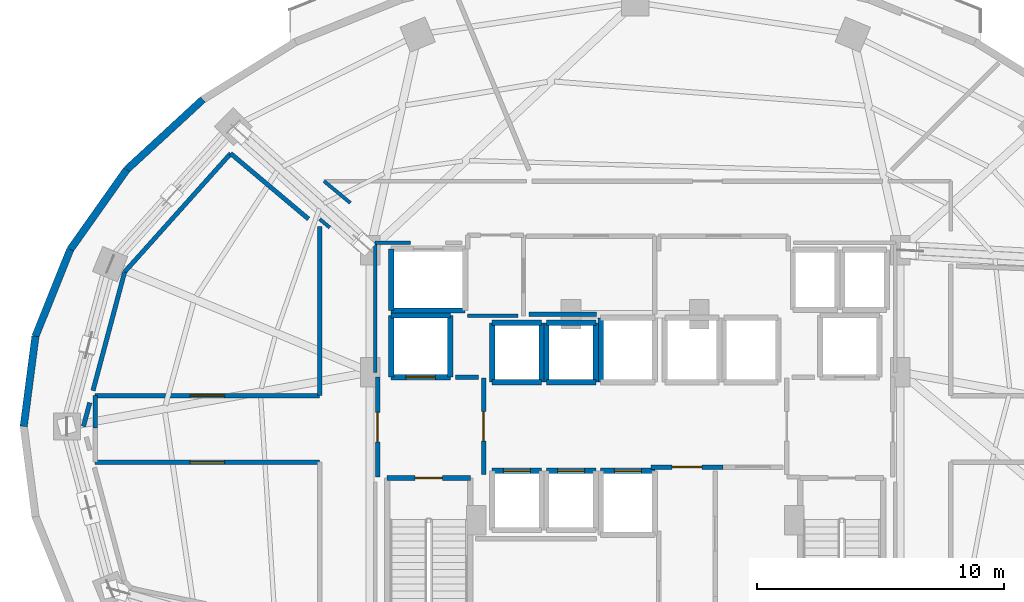
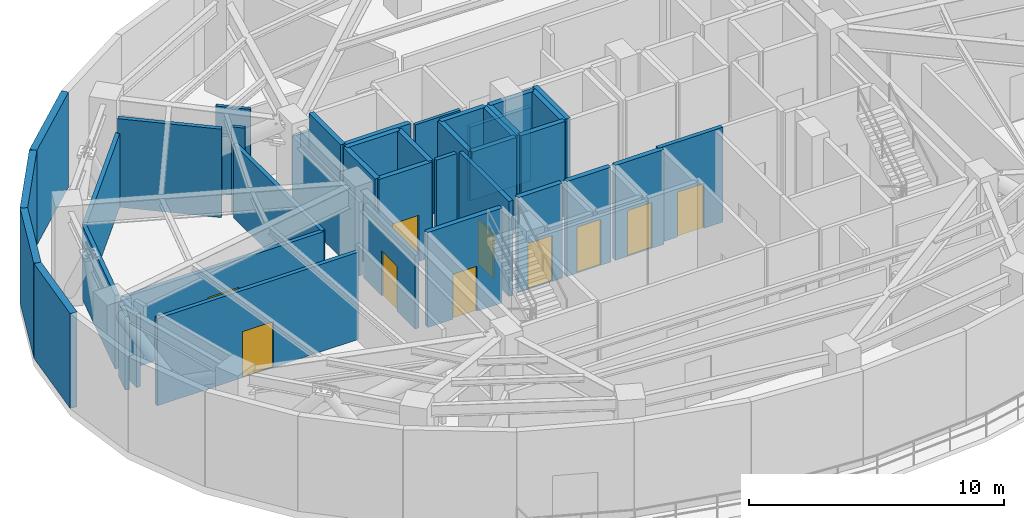
# One storey, part 7 of 11: 41 walls, 10 doors, 10 openings.
"""IFC4 building model written with IfcOpenShell, lengths in metres."""

from ifc_helpers import new_model, si_unit, direction, frame, frame_2d, origin, place, context, subcontext, project, spatial, rectangle, extrude, material, layer, layer_set, type_object, element, fill, save


model = new_model("IFC4")

# Units and contexts
model_context = context("Model", 3, precision=1e-05, world=origin(), true_north=direction((0.0, 1.0)))
body_context = subcontext(model_context, "Body", "Model", "MODEL_VIEW")
ifc_project = project(units=[si_unit("LENGTHUNIT", "METRE"), si_unit("AREAUNIT", "SQUARE_METRE"), si_unit("VOLUMEUNIT", "CUBIC_METRE"), si_unit("PLANEANGLEUNIT", "RADIAN"), si_unit("MASSUNIT", "GRAM", prefix="KILO")], contexts=[model_context])

# Site, building, storey
site_placement = place(None, origin())
site = spatial("IfcSite", under=ifc_project, at=site_placement, CompositionType="ELEMENT")
building_placement = place(site_placement, origin())
building = spatial("IfcBuilding", under=site, at=building_placement, Name="Vorneva Point Tower", CompositionType="ELEMENT")
storey_placement = place(building_placement, frame((0.0, 0.0, 124.300048828125)))
storey = spatial("IfcBuildingStorey", under=building, at=storey_placement, Name="L33", CompositionType="ELEMENT", Elevation=124.300048828125)

# Wall, opening, door
ifc_material_1 = material(Name="Concrete B60 (C50/60)", Category="concrete")
ifc_layer_1 = layer(ifc_material_1, 0.5)
ifc_layer_set_1 = layer_set([ifc_layer_1], Name="Concrete B60 (C50/60)")
wall_type_1 = type_object("IfcWallType", Name="WL-CORE-500", PredefinedType="SHEAR", material=ifc_layer_set_1)
wall_1_placement = place(storey_placement, frame((28.10009765625, 28.0, 0.0), z_axis=(0.0, 0.0, 1.0), x_axis=(1.0, 0.0, 0.0)))
wall_1 = element("IfcWall", 1, at=wall_1_placement, inside=storey, type_object=wall_type_1, Name="L33 Lift FFL1 Shaft Wall -Y", PredefinedType="SHEAR", context=body_context, shape_type="SweptSolid", body=[
    extrude(rectangle(XDim=2.39990234375, YDim=0.219970703125, at=frame_2d((1.199951171875, 0.0))), origin(), (0.0, 0.0, 1.0), 4.5400390625),
])
opening_1_placement = place(wall_1_placement, frame((0.60009765625, 0.0, 0.0)))
opening_1 = element("IfcOpeningElement", 2, at=opening_1_placement, cuts=wall_1, Name="Opening LD-02", PredefinedType="OPENING", context=body_context, shape_type="SweptSolid", body=[
    extrude(rectangle(XDim=1.199951171875, YDim=2.199951171875, at=frame_2d((0.60009765625, 1.10009765625))), frame((0.0, 0.125, 0.0), z_axis=(0.0, -1.0, 0.0), x_axis=(1.0, 0.0, 0.0)), (0.0, 0.0, 1.0), 0.249755859375),
])
ifc_material_2 = material(Name="Brushed stainless steel S304", Category="steel")
door_type_1 = type_object("IfcDoorType", Name="LD-FIRE-1200", OperationType="SLIDING_TO_LEFT", PredefinedType="DOOR", material=ifc_material_2)
door_1_placement = place(opening_1_placement, origin())
door_1 = element("IfcDoor", 3, at=door_1_placement, inside=storey, type_object=door_type_1, Name="L33 Lift FFL1 Sliding Landing Door", OperationType="SLIDING_TO_LEFT", OverallHeight=2.199951171875, OverallWidth=1.199951171875, PredefinedType="DOOR", context=body_context, shape_type="SweptSolid", body=[
    extrude(rectangle(XDim=1.199951171875, YDim=2.199951171875, at=frame_2d((0.60009765625, 1.10009765625))), frame((0.0, 0.02490234375, 0.0), z_axis=(0.0, -1.0, 0.0), x_axis=(1.0, 0.0, 0.0)), (0.0, 0.0, 1.0), 0.050048828125),
])
fill(opening_1, door_1)

# Walls
wall_2_placement = place(storey_placement, frame((30.5, 28.0, 0.0), z_axis=(0.0, 0.0, 1.0), x_axis=(0.0, 1.0, 0.0)))
element("IfcWall", 4, at=wall_2_placement, inside=storey, type_object=wall_type_1, Name="L33 Lift FFL1 Shaft Wall +X", PredefinedType="SHEAR", context=body_context, shape_type="SweptSolid", body=[
    extrude(rectangle(XDim=2.5, YDim=0.219970703125, at=frame_2d((1.25, 0.0))), origin(), (0.0, 0.0, 1.0), 4.5400390625),
])
wall_3_placement = place(storey_placement, frame((30.5, 30.5, 0.0), z_axis=(0.0, 0.0, 1.0), x_axis=(-1.0, 0.0, 0.0)))
element("IfcWall", 5, at=wall_3_placement, inside=storey, type_object=wall_type_1, Name="L33 Lift FFL1 Shaft Wall +Y", PredefinedType="SHEAR", context=body_context, shape_type="SweptSolid", body=[
    extrude(rectangle(XDim=2.39990234375, YDim=0.219970703125, at=frame_2d((1.199951171875, 0.0))), origin(), (0.0, 0.0, 1.0), 4.5400390625),
])
wall_4_placement = place(storey_placement, frame((28.10009765625, 30.5, 0.0), z_axis=(0.0, 0.0, 1.0), x_axis=(0.0, -1.0, 0.0)))
element("IfcWall", 6, at=wall_4_placement, inside=storey, type_object=wall_type_1, Name="L33 Lift FFL1 Shaft Wall -X", PredefinedType="SHEAR", context=body_context, shape_type="SweptSolid", body=[
    extrude(rectangle(XDim=2.5, YDim=0.219970703125, at=frame_2d((1.25, 0.0))), origin(), (0.0, 0.0, 1.0), 4.5400390625),
])
ifc_material_3 = material(Name="Precast concrete B50 (C40/50)", Category="concrete")
ifc_layer_2 = layer(ifc_material_3, 0.300048828125)
ifc_layer_set_2 = layer_set([ifc_layer_2], Name="Precast concrete B50 (C40/50)")
wall_type_2 = type_object("IfcWallType", Name="WL-EXT-300", PredefinedType="STANDARD", material=ifc_layer_set_2)
wall_5_placement = place(storey_placement, frame((20.4638671875, 39.25830078125, 0.0), z_axis=(0.0, 0.0, 1.0), x_axis=(-0.735477154165, -0.677549522693, 0.0)))
element("IfcWall", 7, at=wall_5_placement, inside=storey, type_object=wall_type_2, Name="L33 Pale-Metal Facade Spandrel Wall 07.1", PredefinedType="STANDARD", context=body_context, shape_type="SweptSolid", body=[
    extrude(rectangle(XDim=4.193603515625, YDim=0.300048828125, at=frame_2d((2.0966796875, 0.0))), origin(), (0.0, 0.0, 1.0), 4.5400390625),
])
wall_6_placement = place(storey_placement, frame((17.379638671875, 36.4169921875, 0.0), z_axis=(0.0, 0.0, 1.0), x_axis=(-0.577269753207, -0.816553508371, 0.0)))
element("IfcWall", 8, at=wall_6_placement, inside=storey, type_object=wall_type_2, Name="L33 Pale-Metal Facade Spandrel Wall 07.2", PredefinedType="STANDARD", context=body_context, shape_type="SweptSolid", body=[
    extrude(rectangle(XDim=3.969970703125, YDim=0.300048828125, at=frame_2d((1.98486328125, 0.0))), origin(), (0.0, 0.0, 1.0), 4.5400390625),
])
wall_7_placement = place(storey_placement, frame((15.087890625, 33.17529296875, 0.0), z_axis=(0.0, 0.0, 1.0), x_axis=(-0.372401154411, -0.928071861546, 0.0)))
element("IfcWall", 9, at=wall_7_placement, inside=storey, type_object=wall_type_2, Name="L33 Pale-Metal Facade Spandrel Wall 08.1", PredefinedType="STANDARD", context=body_context, shape_type="SweptSolid", body=[
    extrude(rectangle(XDim=3.7900390625, YDim=0.300048828125, at=frame_2d((1.89501953125, 0.0))), origin(), (0.0, 0.0, 1.0), 4.5400390625),
])
wall_8_placement = place(storey_placement, frame((13.676513671875, 29.657958984375, 0.0), z_axis=(0.0, 0.0, 1.0), x_axis=(-0.129189225186, -0.991619959509, 0.0)))
element("IfcWall", 10, at=wall_8_placement, inside=storey, type_object=wall_type_2, Name="L33 Pale-Metal Facade Spandrel Wall 08.2", PredefinedType="STANDARD", context=body_context, shape_type="SweptSolid", body=[
    extrude(rectangle(XDim=3.68896484375, YDim=0.300048828125, at=frame_2d((1.844482421875, 0.0))), origin(), (0.0, 0.0, 1.0), 4.5400390625),
])
ifc_material_4 = material(Name="Fire-rated acoustic gypsum stud partition", Category="gypsum")
ifc_layer_3 = layer(ifc_material_4, 0.139892578125)
ifc_layer_set_3 = layer_set([ifc_layer_3], Name="Fire-rated acoustic gypsum stud partition")
wall_type_3 = type_object("IfcWallType", Name="WL-PART-140", PredefinedType="PARTITIONING", material=ifc_layer_set_3)
wall_9_placement = place(storey_placement, frame((31.199951171875, 30.47998046875, 0.0), z_axis=(0.0, 0.0, 1.0), x_axis=(1.0, 0.0, 0.0)))
element("IfcWall", 11, at=wall_9_placement, inside=storey, type_object=wall_type_3, Name="L33 Interior Closure Partition 039", PredefinedType="PARTITIONING", context=body_context, shape_type="SweptSolid", body=[
    extrude(rectangle(XDim=2.050048828125, YDim=0.139892578125, at=frame_2d((1.02490234375, 0.0))), origin(), (0.0, 0.0, 1.0), 4.5400390625),
])
wall_10_placement = place(storey_placement, frame((25.37890625, 35.949951171875, 0.0), z_axis=(0.0, 0.0, 1.0), x_axis=(0.769447461533, -0.638710109471, 0.0)))
element("IfcWall", 12, at=wall_10_placement, inside=storey, type_object=wall_type_3, Name="L33 Interior Closure Partition 045", PredefinedType="PARTITIONING", context=body_context, shape_type="SweptSolid", body=[
    extrude(rectangle(XDim=1.3857421875, YDim=0.139892578125, at=frame_2d((0.69287109375, 0.0))), origin(), (0.0, 0.0, 1.0), 4.174072265625),
])
wall_11_placement = place(storey_placement, frame((25.614013671875, 34.06494140625, 0.0), z_axis=(0.0, 0.0, 1.0), x_axis=(-0.769186943462, 0.639023822723, 0.0)))
element("IfcWall", 13, at=wall_11_placement, inside=storey, type_object=wall_type_3, Name="L33 Interior Closure Partition 046", PredefinedType="PARTITIONING", context=body_context, shape_type="SweptSolid", body=[
    extrude(rectangle(XDim=0.538330078125, YDim=0.139892578125, at=frame_2d((0.26904296875, 0.0))), origin(), (0.0, 0.0, 1.0), 4.174072265625),
])
wall_12_placement = place(storey_placement, frame((28.89404296875, 33.449951171875, 0.0), z_axis=(0.0, 0.0, 1.0), x_axis=(-1.0, 0.0, 0.0)))
element("IfcWall", 14, at=wall_12_placement, inside=storey, type_object=wall_type_3, Name="L33 Interior Closure Partition 053", PredefinedType="PARTITIONING", context=body_context, shape_type="SweptSolid", body=[
    extrude(rectangle(XDim=1.444091796875, YDim=0.139892578125, at=frame_2d((0.72216796875, 0.0))), origin(), (0.0, 0.0, 1.0), 3.52197265625),
])
wall_13_placement = place(storey_placement, frame((27.449951171875, 33.449951171875, 0.0), z_axis=(0.0, 0.0, 1.0), x_axis=(0.0, -1.0, 0.0)))
element("IfcWall", 15, at=wall_13_placement, inside=storey, type_object=wall_type_3, Name="L33 Interior Closure Partition 054", PredefinedType="PARTITIONING", context=body_context, shape_type="SweptSolid", body=[
    extrude(rectangle(XDim=5.25390625, YDim=0.139892578125, at=frame_2d((2.626953125, 0.0))), origin(), (0.0, 0.0, 1.0), 3.52197265625),
])

# Wall, opening, door
ifc_material_5 = material(Name="Autoclaved aerated concrete blockwork", Category="masonry")
ifc_layer_4 = layer(ifc_material_5, 0.179931640625)
ifc_layer_set_4 = layer_set([ifc_layer_4], Name="Autoclaved aerated concrete blockwork")
wall_type_4 = type_object("IfcWallType", Name="WL-PART-180", PredefinedType="PARTITIONING", material=ifc_layer_set_4)
wall_14_placement = place(storey_placement, frame((31.85009765625, 24.044921875, 0.0), z_axis=(0.0, 0.0, 1.0), x_axis=(0.0, 1.0, 0.0)))
wall_14 = element("IfcWall", 16, at=wall_14_placement, inside=storey, type_object=wall_type_4, Name="L33 Interior Partition 001", PredefinedType="PARTITIONING", context=body_context, shape_type="SweptSolid", body=[
    extrude(rectangle(XDim=3.91015625, YDim=0.179931640625, at=frame_2d((1.955078125, 0.0))), origin(), (0.0, 0.0, 1.0), 4.5400390625),
])
opening_2_placement = place(wall_14_placement, frame((1.35498046875, 0.0, 0.0)))
opening_2 = element("IfcOpeningElement", 17, at=opening_2_placement, cuts=wall_14, Name="Opening FD-02", PredefinedType="OPENING", context=body_context, shape_type="SweptSolid", body=[
    extrude(rectangle(XDim=1.199951171875, YDim=2.14990234375, at=frame_2d((0.60009765625, 1.074951171875))), frame((0.0, 0.10498046875, 0.0), z_axis=(0.0, -1.0, 0.0), x_axis=(1.0, 0.0, 0.0)), (0.0, 0.0, 1.0), 0.209716796875),
])
ifc_material_6 = material(Name="Fire-rated powder-coated steel", Category="steel")
door_type_2 = type_object("IfcDoorType", Name="DR-FFL-1200", OperationType="NOTDEFINED", PredefinedType="DOOR", material=ifc_material_6)
door_2_placement = place(opening_2_placement, origin())
door_2 = element("IfcDoor", 18, at=door_2_placement, inside=storey, type_object=door_type_2, Name="L33 Door West Firefighting Lobby / Central Lift Lobby", OperationType="SINGLE_SWING_LEFT", OverallHeight=2.14990234375, OverallWidth=1.199951171875, PredefinedType="DOOR", context=body_context, shape_type="SweptSolid", body=[
    extrude(rectangle(XDim=1.199951171875, YDim=2.14990234375, at=frame_2d((0.60009765625, 1.074951171875))), frame((0.0, 0.02490234375, 0.0), z_axis=(0.0, -1.0, 0.0), x_axis=(1.0, 0.0, 0.0)), (0.0, 0.0, 1.0), 0.050048828125),
])
fill(opening_2, door_2)

wall_15_placement = place(storey_placement, frame((27.550048828125, 28.0, 0.0), z_axis=(0.0, 0.0, 1.0), x_axis=(0.0, -1.0, 0.0)))
wall_15 = element("IfcWall", 19, at=wall_15_placement, inside=storey, type_object=wall_type_4, Name="L33 Interior Partition 002", PredefinedType="PARTITIONING", context=body_context, shape_type="SweptSolid", body=[
    extrude(rectangle(XDim=4.050048828125, YDim=0.179931640625, at=frame_2d((2.02490234375, 0.0))), origin(), (0.0, 0.0, 1.0), 3.52197265625),
])
opening_3_placement = place(wall_15_placement, frame((1.425048828125, 0.0, 0.0)))
opening_3 = element("IfcOpeningElement", 20, at=opening_3_placement, cuts=wall_15, Name="Opening FD-02", PredefinedType="OPENING", context=body_context, shape_type="SweptSolid", body=[
    extrude(rectangle(XDim=1.199951171875, YDim=2.14990234375, at=frame_2d((0.60009765625, 1.074951171875))), frame((0.0, 0.10498046875, 0.0), z_axis=(0.0, -1.0, 0.0), x_axis=(1.0, 0.0, 0.0)), (0.0, 0.0, 1.0), 0.209716796875),
])
door_3_placement = place(opening_3_placement, origin())
door_3 = element("IfcDoor", 21, at=door_3_placement, inside=storey, type_object=door_type_2, Name="L33 Door West Firefighting Lobby / L33 Refuge and Lift Lobby", OperationType="SINGLE_SWING_RIGHT", OverallHeight=2.14990234375, OverallWidth=1.199951171875, PredefinedType="DOOR", context=body_context, shape_type="SweptSolid", body=[
    extrude(rectangle(XDim=1.199951171875, YDim=2.14990234375, at=frame_2d((0.60009765625, 1.074951171875))), frame((0.0, 0.02490234375, 0.0), z_axis=(0.0, -1.0, 0.0), x_axis=(1.0, 0.0, 0.0)), (0.0, 0.0, 1.0), 0.050048828125),
])
fill(opening_3, door_3)

wall_16_placement = place(storey_placement, frame((38.64501953125, 24.35009765625, 0.0), z_axis=(0.0, 0.0, 1.0), x_axis=(1.0, 0.0, 0.0)))
wall_16 = element("IfcWall", 22, at=wall_16_placement, inside=storey, type_object=wall_type_4, Name="L33 Interior Partition 009", PredefinedType="PARTITIONING", context=body_context, shape_type="SweptSolid", body=[
    extrude(rectangle(XDim=2.909912109375, YDim=0.179931640625, at=frame_2d((1.455078125, 0.0))), origin(), (0.0, 0.0, 1.0), 4.5400390625),
])
opening_4_placement = place(wall_16_placement, frame((0.85498046875, 0.0, 0.0)))
opening_4 = element("IfcOpeningElement", 23, at=opening_4_placement, cuts=wall_16, Name="Opening FD-02", PredefinedType="OPENING", context=body_context, shape_type="SweptSolid", body=[
    extrude(rectangle(XDim=1.199951171875, YDim=2.14990234375, at=frame_2d((0.60009765625, 1.074951171875))), frame((0.0, 0.10498046875, 0.0), z_axis=(0.0, -1.0, 0.0), x_axis=(1.0, 0.0, 0.0)), (0.0, 0.0, 1.0), 0.209716796875),
])
door_4_placement = place(opening_4_placement, origin())
door_4 = element("IfcDoor", 24, at=door_4_placement, inside=storey, type_object=door_type_2, Name="L33 Door Central Lift Lobby / Core Service Lobby", OperationType="SINGLE_SWING_RIGHT", OverallHeight=2.14990234375, OverallWidth=1.199951171875, PredefinedType="DOOR", context=body_context, shape_type="SweptSolid", body=[
    extrude(rectangle(XDim=1.199951171875, YDim=2.14990234375, at=frame_2d((0.60009765625, 1.074951171875))), frame((0.0, 0.02490234375, 0.0), z_axis=(0.0, -1.0, 0.0), x_axis=(1.0, 0.0, 0.0)), (0.0, 0.0, 1.0), 0.050048828125),
])
fill(opening_4, door_4)

# Wall
wall_17_placement = place(storey_placement, frame((25.199951171875, 34.111083984375, 0.0), z_axis=(0.0, 0.0, 1.0), x_axis=(0.0, -1.0, 0.0)))
element("IfcWall", 25, at=wall_17_placement, inside=storey, type_object=wall_type_4, Name="L33 Interior Partition 024", PredefinedType="PARTITIONING", context=body_context, shape_type="SweptSolid", body=[
    extrude(rectangle(XDim=6.861083984375, YDim=0.179931640625, at=frame_2d((3.4306640625, 0.0))), origin(), (0.0, 0.0, 1.0), 3.52197265625),
])

# Wall, opening, door
wall_18_placement = place(storey_placement, frame((25.199951171875, 27.25, 0.0), z_axis=(0.0, 0.0, 1.0), x_axis=(-1.0, 0.0, 0.0)))
wall_18 = element("IfcWall", 26, at=wall_18_placement, inside=storey, type_object=wall_type_4, Name="L33 Interior Partition 025", PredefinedType="PARTITIONING", context=body_context, shape_type="SweptSolid", body=[
    extrude(rectangle(XDim=9.099853515625, YDim=0.179931640625, at=frame_2d((4.5498046875, 0.0))), origin(), (0.0, 0.0, 1.0), 3.52197265625),
])
opening_5_placement = place(wall_18_placement, frame((3.85009765625, 0.0, 0.0)))
opening_5 = element("IfcOpeningElement", 27, at=opening_5_placement, cuts=wall_18, Name="Opening FD-03", PredefinedType="OPENING", context=body_context, shape_type="SweptSolid", body=[
    extrude(rectangle(XDim=1.39990234375, YDim=2.199951171875, at=frame_2d((0.699951171875, 1.10009765625))), frame((0.0, 0.10498046875, 0.0), z_axis=(0.0, -1.0, 0.0), x_axis=(1.0, 0.0, 0.0)), (0.0, 0.0, 1.0), 0.209716796875),
])
door_type_3 = type_object("IfcDoorType", Name="DR-PLT-1400", OperationType="DOUBLE_SWING_LEFT", PredefinedType="DOOR", material=ifc_material_6)
door_5_placement = place(opening_5_placement, origin())
door_5 = element("IfcDoor", 28, at=door_5_placement, inside=storey, type_object=door_type_3, Name="L33 Door L33 Refuge and Lift Lobby / Chiller Plant Room L33", OperationType="DOUBLE_SWING_LEFT", OverallHeight=2.199951171875, OverallWidth=1.39990234375, PredefinedType="DOOR", context=body_context, shape_type="SweptSolid", body=[
    extrude(rectangle(XDim=1.39990234375, YDim=2.199951171875, at=frame_2d((0.699951171875, 1.10009765625))), frame((0.0, 0.02490234375, 0.0), z_axis=(0.0, -1.0, 0.0), x_axis=(1.0, 0.0, 0.0)), (0.0, 0.0, 1.0), 0.050048828125),
])
fill(opening_5, door_5)

# Wall
wall_19_placement = place(storey_placement, frame((16.10009765625, 27.25, 0.0), z_axis=(0.0, 0.0, 1.0), x_axis=(0.0, -1.0, 0.0)))
element("IfcWall", 29, at=wall_19_placement, inside=storey, type_object=wall_type_4, Name="L33 Interior Partition 026", PredefinedType="PARTITIONING", context=body_context, shape_type="SweptSolid", body=[
    extrude(rectangle(XDim=1.31005859375, YDim=0.179931640625, at=frame_2d((0.655029296875, 0.0))), origin(), (0.0, 0.0, 1.0), 3.52197265625),
])

# Wall, opening, door
wall_20_placement = place(storey_placement, frame((16.10009765625, 24.550048828125, 0.0), z_axis=(0.0, 0.0, 1.0), x_axis=(1.0, 0.0, 0.0)))
wall_20 = element("IfcWall", 30, at=wall_20_placement, inside=storey, type_object=wall_type_4, Name="L33 Interior Partition 028", PredefinedType="PARTITIONING", context=body_context, shape_type="SweptSolid", body=[
    extrude(rectangle(XDim=9.099853515625, YDim=0.179931640625, at=frame_2d((4.5498046875, 0.0))), origin(), (0.0, 0.0, 1.0), 4.174072265625),
])
opening_6_placement = place(wall_20_placement, frame((3.85009765625, 0.0, 0.0)))
opening_6 = element("IfcOpeningElement", 31, at=opening_6_placement, cuts=wall_20, Name="Opening FD-03", PredefinedType="OPENING", context=body_context, shape_type="SweptSolid", body=[
    extrude(rectangle(XDim=1.39990234375, YDim=2.199951171875, at=frame_2d((0.699951171875, 1.10009765625))), frame((0.0, 0.10498046875, 0.0), z_axis=(0.0, -1.0, 0.0), x_axis=(1.0, 0.0, 0.0)), (0.0, 0.0, 1.0), 0.209716796875),
])
door_6_placement = place(opening_6_placement, origin())
door_6 = element("IfcDoor", 32, at=door_6_placement, inside=storey, type_object=door_type_3, Name="L33 Door L33 Refuge and Lift Lobby / Domestic Pump and Water Tank Room L33", OperationType="DOUBLE_SWING_LEFT", OverallHeight=2.199951171875, OverallWidth=1.39990234375, PredefinedType="DOOR", context=body_context, shape_type="SweptSolid", body=[
    extrude(rectangle(XDim=1.39990234375, YDim=2.199951171875, at=frame_2d((0.699951171875, 1.10009765625))), frame((0.0, 0.02490234375, 0.0), z_axis=(0.0, -1.0, 0.0), x_axis=(1.0, 0.0, 0.0)), (0.0, 0.0, 1.0), 0.050048828125),
])
fill(opening_6, door_6)

# Walls
wall_21_placement = place(storey_placement, frame((31.635009765625, 28.0, 0.0), z_axis=(0.0, 0.0, 1.0), x_axis=(-1.0, 0.0, 0.0)))
element("IfcWall", 33, at=wall_21_placement, inside=storey, type_object=wall_type_4, Name="L33 Interior Closure Partition 037", PredefinedType="PARTITIONING", context=body_context, shape_type="SweptSolid", body=[
    extrude(rectangle(XDim=0.9150390625, YDim=0.179931640625, at=frame_2d((0.45751953125, 0.0))), origin(), (0.0, 0.0, 1.0), 4.5400390625),
])
wall_22_placement = place(storey_placement, frame((33.694091796875, 30.550048828125, 0.0), z_axis=(0.0, 0.0, 1.0), x_axis=(1.0, 0.0, 0.0)))
element("IfcWall", 34, at=wall_22_placement, inside=storey, type_object=wall_type_4, Name="L33 Interior Closure Partition 040", PredefinedType="PARTITIONING", context=body_context, shape_type="SweptSolid", body=[
    extrude(rectangle(XDim=2.744873046875, YDim=0.179931640625, at=frame_2d((1.37255859375, 0.0))), origin(), (0.0, 0.0, 1.0), 3.52197265625),
])
wall_23_placement = place(storey_placement, frame((21.593994140625, 37.068115234375, 0.0), z_axis=(0.0, 0.0, 1.0), x_axis=(-0.667012857152, -0.745046205543, 0.0)))
element("IfcWall", 35, at=wall_23_placement, inside=storey, type_object=wall_type_4, Name="L33 Interior Closure Partition 065", PredefinedType="PARTITIONING", context=body_context, shape_type="SweptSolid", body=[
    extrude(rectangle(XDim=6.4482421875, YDim=0.179931640625, at=frame_2d((3.22412109375, 0.0))), origin(), (0.0, 0.0, 1.0), 3.52197265625),
])
wall_24_placement = place(storey_placement, frame((17.29296875, 32.263916015625, 0.0), z_axis=(0.0, 0.0, 1.0), x_axis=(-0.257519293952, -0.96627315664, 0.0)))
element("IfcWall", 36, at=wall_24_placement, inside=storey, type_object=wall_type_4, Name="L33 Interior Closure Partition 066", PredefinedType="PARTITIONING", context=body_context, shape_type="SweptSolid", body=[
    extrude(rectangle(XDim=4.98193359375, YDim=0.179931640625, at=frame_2d((2.490966796875, 0.0))), origin(), (0.0, 0.0, 1.0), 3.52197265625),
])
wall_25_placement = place(storey_placement, frame((15.8798828125, 26.964111328125, 0.0), z_axis=(0.0, 0.0, 1.0), x_axis=(-0.257418962866, -0.966299890074, 0.0)))
element("IfcWall", 37, at=wall_25_placement, inside=storey, type_object=wall_type_4, Name="L33 Interior Closure Partition 067", PredefinedType="PARTITIONING", context=body_context, shape_type="SweptSolid", body=[
    extrude(rectangle(XDim=0.997802734375, YDim=0.179931640625, at=frame_2d((0.4990234375, 0.0))), origin(), (0.0, 0.0, 1.0), 3.52197265625),
])
wall_26_placement = place(storey_placement, frame((24.75, 34.412109375, 0.0), z_axis=(0.0, 0.0, 1.0), x_axis=(-0.765112224477, 0.643896951349, 0.0)))
element("IfcWall", 38, at=wall_26_placement, inside=storey, type_object=wall_type_4, Name="L33 Interior Closure Partition 068", PredefinedType="PARTITIONING", context=body_context, shape_type="SweptSolid", body=[
    extrude(rectangle(XDim=4.125, YDim=0.179931640625, at=frame_2d((2.0625, 0.0))), origin(), (0.0, 0.0, 1.0), 4.22900390625),
])

# Wall, opening, door
ifc_material_7 = material(Name="Concrete B50 (C40/50)", Category="concrete")
ifc_layer_5 = layer(ifc_material_7, 0.219970703125)
ifc_layer_set_5 = layer_set([ifc_layer_5], Name="Concrete B50 (C40/50)")
wall_type_5 = type_object("IfcWallType", Name="WL-SHFT-220", PredefinedType="SOLIDWALL", material=ifc_layer_set_5)
wall_27_placement = place(storey_placement, frame((27.93994140625, 23.909912109375, 0.0), z_axis=(0.0, 0.0, 1.0), x_axis=(1.0, 0.0, 0.0)))
wall_27 = element("IfcWall", 39, at=wall_27_placement, inside=storey, type_object=wall_type_5, Name="L33 Exit Stair ST1 Shaft Wall near", PredefinedType="SOLIDWALL", context=body_context, shape_type="SweptSolid", body=[
    extrude(rectangle(XDim=3.3701171875, YDim=0.219970703125, at=frame_2d((1.68505859375, 0.0))), origin(), (0.0, 0.0, 1.0), 4.5400390625),
])
opening_7_placement = place(wall_27_placement, frame((1.135009765625, 0.0, 0.0)))
opening_7 = element("IfcOpeningElement", 40, at=opening_7_placement, cuts=wall_27, Name="Opening FD-01", PredefinedType="OPENING", context=body_context, shape_type="SweptSolid", body=[
    extrude(rectangle(XDim=1.10009765625, YDim=2.14990234375, at=frame_2d((0.550048828125, 1.074951171875))), frame((0.0, 0.125, 0.0), z_axis=(0.0, -1.0, 0.0), x_axis=(1.0, 0.0, 0.0)), (0.0, 0.0, 1.0), 0.249755859375),
])
door_type_4 = type_object("IfcDoorType", Name="DR-STAIR-1100", OperationType="NOTDEFINED", PredefinedType="DOOR", material=ifc_material_6)
door_7_placement = place(opening_7_placement, origin())
door_7 = element("IfcDoor", 41, at=door_7_placement, inside=storey, type_object=door_type_4, Name="L33 Exit Stair ST1 Fire Door", OperationType="SINGLE_SWING_LEFT", OverallHeight=2.14990234375, OverallWidth=1.10009765625, PredefinedType="DOOR", context=body_context, shape_type="SweptSolid", body=[
    extrude(rectangle(XDim=1.10009765625, YDim=2.14990234375, at=frame_2d((0.550048828125, 1.074951171875))), frame((0.0, 0.02490234375, 0.0), z_axis=(0.0, -1.0, 0.0), x_axis=(1.0, 0.0, 0.0)), (0.0, 0.0, 1.0), 0.050048828125),
])
fill(opening_7, door_7)

# Walls
wall_28_placement = place(storey_placement, frame((32.199951171875, 27.800048828125, 0.0), z_axis=(0.0, 0.0, 1.0), x_axis=(1.0, 0.0, 0.0)))
element("IfcWall", 42, at=wall_28_placement, inside=storey, type_object=wall_type_5, Name="L33 Lift PL1 Shaft Wall -Y", PredefinedType="SOLIDWALL", context=body_context, shape_type="SweptSolid", body=[
    extrude(rectangle(XDim=2.0, YDim=0.219970703125, at=frame_2d((1.0, 0.0))), origin(), (0.0, 0.0, 1.0), 4.5400390625),
])
wall_29_placement = place(storey_placement, frame((34.199951171875, 27.800048828125, 0.0), z_axis=(0.0, 0.0, 1.0), x_axis=(0.0, 1.0, 0.0)))
element("IfcWall", 43, at=wall_29_placement, inside=storey, type_object=wall_type_5, Name="L33 Lift PL1 Shaft Wall +X", PredefinedType="SOLIDWALL", context=body_context, shape_type="SweptSolid", body=[
    extrude(rectangle(XDim=2.39990234375, YDim=0.219970703125, at=frame_2d((1.199951171875, 0.0))), origin(), (0.0, 0.0, 1.0), 4.5400390625),
])
wall_30_placement = place(storey_placement, frame((34.199951171875, 30.199951171875, 0.0), z_axis=(0.0, 0.0, 1.0), x_axis=(-1.0, 0.0, 0.0)))
element("IfcWall", 44, at=wall_30_placement, inside=storey, type_object=wall_type_5, Name="L33 Lift PL1 Shaft Wall +Y", PredefinedType="SOLIDWALL", context=body_context, shape_type="SweptSolid", body=[
    extrude(rectangle(XDim=2.0, YDim=0.219970703125, at=frame_2d((1.0, 0.0))), origin(), (0.0, 0.0, 1.0), 4.5400390625),
])
wall_31_placement = place(storey_placement, frame((32.199951171875, 30.199951171875, 0.0), z_axis=(0.0, 0.0, 1.0), x_axis=(0.0, -1.0, 0.0)))
element("IfcWall", 45, at=wall_31_placement, inside=storey, type_object=wall_type_5, Name="L33 Lift PL1 Shaft Wall -X", PredefinedType="SOLIDWALL", context=body_context, shape_type="SweptSolid", body=[
    extrude(rectangle(XDim=2.39990234375, YDim=0.219970703125, at=frame_2d((1.199951171875, 0.0))), origin(), (0.0, 0.0, 1.0), 4.5400390625),
])
wall_32_placement = place(storey_placement, frame((34.39990234375, 27.800048828125, 0.0), z_axis=(0.0, 0.0, 1.0), x_axis=(1.0, 0.0, 0.0)))
element("IfcWall", 46, at=wall_32_placement, inside=storey, type_object=wall_type_5, Name="L33 Lift PL2 Shaft Wall -Y", PredefinedType="SOLIDWALL", context=body_context, shape_type="SweptSolid", body=[
    extrude(rectangle(XDim=2.0, YDim=0.219970703125, at=frame_2d((1.0, 0.0))), origin(), (0.0, 0.0, 1.0), 4.5400390625),
])
wall_33_placement = place(storey_placement, frame((36.39990234375, 27.800048828125, 0.0), z_axis=(0.0, 0.0, 1.0), x_axis=(0.0, 1.0, 0.0)))
element("IfcWall", 47, at=wall_33_placement, inside=storey, type_object=wall_type_5, Name="L33 Lift PL2 Shaft Wall +X", PredefinedType="SOLIDWALL", context=body_context, shape_type="SweptSolid", body=[
    extrude(rectangle(XDim=2.39990234375, YDim=0.219970703125, at=frame_2d((1.199951171875, 0.0))), origin(), (0.0, 0.0, 1.0), 4.5400390625),
])
wall_34_placement = place(storey_placement, frame((36.39990234375, 30.199951171875, 0.0), z_axis=(0.0, 0.0, 1.0), x_axis=(-1.0, 0.0, 0.0)))
element("IfcWall", 48, at=wall_34_placement, inside=storey, type_object=wall_type_5, Name="L33 Lift PL2 Shaft Wall +Y", PredefinedType="SOLIDWALL", context=body_context, shape_type="SweptSolid", body=[
    extrude(rectangle(XDim=2.0, YDim=0.219970703125, at=frame_2d((1.0, 0.0))), origin(), (0.0, 0.0, 1.0), 4.5400390625),
])
wall_35_placement = place(storey_placement, frame((34.39990234375, 30.199951171875, 0.0), z_axis=(0.0, 0.0, 1.0), x_axis=(0.0, -1.0, 0.0)))
element("IfcWall", 49, at=wall_35_placement, inside=storey, type_object=wall_type_5, Name="L33 Lift PL2 Shaft Wall -X", PredefinedType="SOLIDWALL", context=body_context, shape_type="SweptSolid", body=[
    extrude(rectangle(XDim=2.39990234375, YDim=0.219970703125, at=frame_2d((1.199951171875, 0.0))), origin(), (0.0, 0.0, 1.0), 4.5400390625),
])
wall_36_placement = place(storey_placement, frame((36.60009765625, 30.39990234375, 0.0), z_axis=(0.0, 0.0, 1.0), x_axis=(0.0, -1.0, 0.0)))
element("IfcWall", 50, at=wall_36_placement, inside=storey, type_object=wall_type_5, Name="L33 Lift PL3 Shaft Wall -X", PredefinedType="SOLIDWALL", context=body_context, shape_type="SweptSolid", body=[
    extrude(rectangle(XDim=2.599853515625, YDim=0.219970703125, at=frame_2d((1.2998046875, 0.0))), origin(), (0.0, 0.0, 1.0), 4.5400390625),
])

# Wall, opening, door
wall_37_placement = place(storey_placement, frame((34.199951171875, 24.199951171875, 0.0), z_axis=(0.0, 0.0, 1.0), x_axis=(-1.0, 0.0, 0.0)))
wall_37 = element("IfcWall", 51, at=wall_37_placement, inside=storey, type_object=wall_type_5, Name="L33 Lift PL4 Shaft Wall +Y", PredefinedType="SOLIDWALL", context=body_context, shape_type="SweptSolid", body=[
    extrude(rectangle(XDim=2.0, YDim=0.219970703125, at=frame_2d((1.0, 0.0))), origin(), (0.0, 0.0, 1.0), 4.5400390625),
])
opening_8_placement = place(wall_37_placement, frame((0.449951171875, 0.0, 0.0)))
opening_8 = element("IfcOpeningElement", 52, at=opening_8_placement, cuts=wall_37, Name="Opening LD-01", PredefinedType="OPENING", context=body_context, shape_type="SweptSolid", body=[
    extrude(rectangle(XDim=1.10009765625, YDim=2.199951171875, at=frame_2d((0.550048828125, 1.10009765625))), frame((0.0, 0.125, 0.0), z_axis=(0.0, -1.0, 0.0), x_axis=(1.0, 0.0, 0.0)), (0.0, 0.0, 1.0), 0.249755859375),
])
door_type_5 = type_object("IfcDoorType", Name="LD-PASS-1100", OperationType="SLIDING_TO_LEFT", PredefinedType="DOOR", material=ifc_material_2)
door_8_placement = place(opening_8_placement, origin())
door_8 = element("IfcDoor", 53, at=door_8_placement, inside=storey, type_object=door_type_5, Name="L33 Lift PL4 Sliding Landing Door", OperationType="SLIDING_TO_LEFT", OverallHeight=2.199951171875, OverallWidth=1.10009765625, PredefinedType="DOOR", context=body_context, shape_type="SweptSolid", body=[
    extrude(rectangle(XDim=1.10009765625, YDim=2.199951171875, at=frame_2d((0.550048828125, 1.10009765625))), frame((0.0, 0.02490234375, 0.0), z_axis=(0.0, -1.0, 0.0), x_axis=(1.0, 0.0, 0.0)), (0.0, 0.0, 1.0), 0.050048828125),
])
fill(opening_8, door_8)

wall_38_placement = place(storey_placement, frame((36.39990234375, 24.199951171875, 0.0), z_axis=(0.0, 0.0, 1.0), x_axis=(-1.0, 0.0, 0.0)))
wall_38 = element("IfcWall", 54, at=wall_38_placement, inside=storey, type_object=wall_type_5, Name="L33 Lift PL5 Shaft Wall +Y", PredefinedType="SOLIDWALL", context=body_context, shape_type="SweptSolid", body=[
    extrude(rectangle(XDim=2.0, YDim=0.219970703125, at=frame_2d((1.0, 0.0))), origin(), (0.0, 0.0, 1.0), 4.5400390625),
])
opening_9_placement = place(wall_38_placement, frame((0.449951171875, 0.0, 0.0)))
opening_9 = element("IfcOpeningElement", 55, at=opening_9_placement, cuts=wall_38, Name="Opening LD-01", PredefinedType="OPENING", context=body_context, shape_type="SweptSolid", body=[
    extrude(rectangle(XDim=1.10009765625, YDim=2.199951171875, at=frame_2d((0.550048828125, 1.10009765625))), frame((0.0, 0.125, 0.0), z_axis=(0.0, -1.0, 0.0), x_axis=(1.0, 0.0, 0.0)), (0.0, 0.0, 1.0), 0.249755859375),
])
door_9_placement = place(opening_9_placement, origin())
door_9 = element("IfcDoor", 56, at=door_9_placement, inside=storey, type_object=door_type_5, Name="L33 Lift PL5 Sliding Landing Door", OperationType="SLIDING_TO_LEFT", OverallHeight=2.199951171875, OverallWidth=1.10009765625, PredefinedType="DOOR", context=body_context, shape_type="SweptSolid", body=[
    extrude(rectangle(XDim=1.10009765625, YDim=2.199951171875, at=frame_2d((0.550048828125, 1.10009765625))), frame((0.0, 0.02490234375, 0.0), z_axis=(0.0, -1.0, 0.0), x_axis=(1.0, 0.0, 0.0)), (0.0, 0.0, 1.0), 0.050048828125),
])
fill(opening_9, door_9)

wall_39_placement = place(storey_placement, frame((38.800048828125, 24.199951171875, 0.0), z_axis=(0.0, 0.0, 1.0), x_axis=(-1.0, 0.0, 0.0)))
wall_39 = element("IfcWall", 57, at=wall_39_placement, inside=storey, type_object=wall_type_5, Name="L33 Lift PL6 Shaft Wall +Y", PredefinedType="SOLIDWALL", context=body_context, shape_type="SweptSolid", body=[
    extrude(rectangle(XDim=2.199951171875, YDim=0.219970703125, at=frame_2d((1.10009765625, 0.0))), origin(), (0.0, 0.0, 1.0), 4.5400390625),
])
opening_10_placement = place(wall_39_placement, frame((0.550048828125, 0.0, 0.0)))
opening_10 = element("IfcOpeningElement", 58, at=opening_10_placement, cuts=wall_39, Name="Opening LD-01", PredefinedType="OPENING", context=body_context, shape_type="SweptSolid", body=[
    extrude(rectangle(XDim=1.10009765625, YDim=2.199951171875, at=frame_2d((0.550048828125, 1.10009765625))), frame((0.0, 0.125, 0.0), z_axis=(0.0, -1.0, 0.0), x_axis=(1.0, 0.0, 0.0)), (0.0, 0.0, 1.0), 0.249755859375),
])
door_10_placement = place(opening_10_placement, origin())
door_10 = element("IfcDoor", 59, at=door_10_placement, inside=storey, type_object=door_type_5, Name="L33 Lift PL6 Sliding Landing Door", OperationType="SLIDING_TO_LEFT", OverallHeight=2.199951171875, OverallWidth=1.10009765625, PredefinedType="DOOR", context=body_context, shape_type="SweptSolid", body=[
    extrude(rectangle(XDim=1.10009765625, YDim=2.199951171875, at=frame_2d((0.550048828125, 1.10009765625))), frame((0.0, 0.02490234375, 0.0), z_axis=(0.0, -1.0, 0.0), x_axis=(1.0, 0.0, 0.0)), (0.0, 0.0, 1.0), 0.050048828125),
])
fill(opening_10, door_10)

# Walls
wall_40_placement = place(storey_placement, frame((28.10009765625, 30.699951171875, 0.0), z_axis=(0.0, 0.0, 1.0), x_axis=(1.0, 0.0, 0.0)))
element("IfcWall", 60, at=wall_40_placement, inside=storey, type_object=wall_type_5, Name="L33 Lift SVL1 Shaft Wall -Y", PredefinedType="SOLIDWALL", context=body_context, shape_type="SweptSolid", body=[
    extrude(rectangle(XDim=3.0, YDim=0.219970703125, at=frame_2d((1.5, 0.0))), origin(), (0.0, 0.0, 1.0), 4.5400390625),
])
wall_41_placement = place(storey_placement, frame((28.10009765625, 33.199951171875, 0.0), z_axis=(0.0, 0.0, 1.0), x_axis=(0.0, -1.0, 0.0)))
element("IfcWall", 61, at=wall_41_placement, inside=storey, type_object=wall_type_5, Name="L33 Lift SVL1 Shaft Wall -X", PredefinedType="SOLIDWALL", context=body_context, shape_type="SweptSolid", body=[
    extrude(rectangle(XDim=2.5, YDim=0.219970703125, at=frame_2d((1.25, 0.0))), origin(), (0.0, 0.0, 1.0), 4.5400390625),
])

save(model, "model.ifc")
